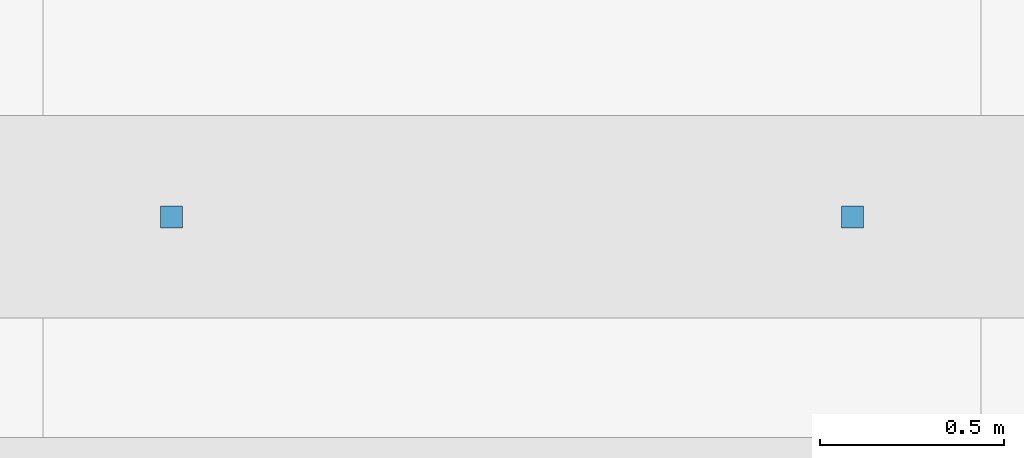
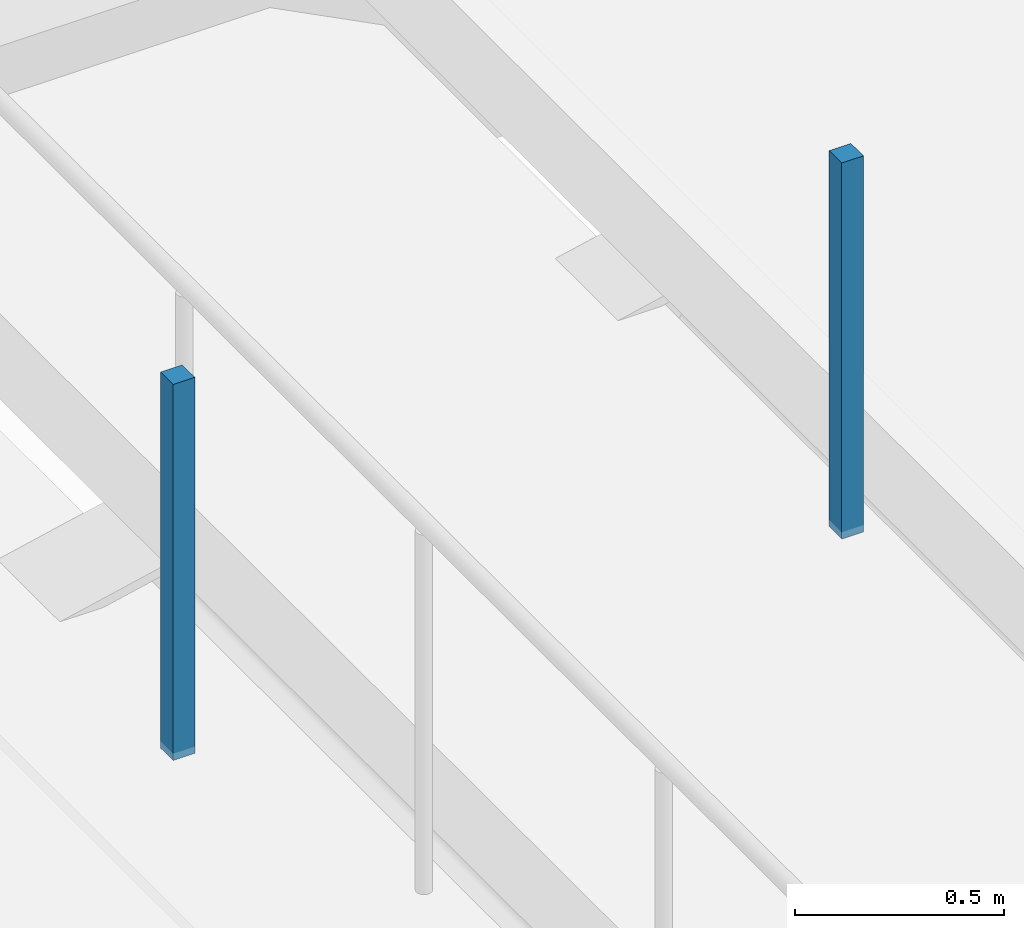
# One storey, part 99 of 147: 2 discrete accessories.
"""IFC4 building model written with IfcOpenShell, lengths in metres."""

from ifc_helpers import new_model, si_unit, direction, frame, origin, origin_2d, place, context, subcontext, project, spatial, rectangle, extrude, material, type_object, element, save


model = new_model("IFC4")

# Units and contexts
model_context = context("Model", 3, precision=1e-05, world=origin(), true_north=direction((0.0, 1.0)))
body_context = subcontext(model_context, "Body", "Model", "MODEL_VIEW")
ifc_project = project(units=[si_unit("LENGTHUNIT", "METRE"), si_unit("AREAUNIT", "SQUARE_METRE"), si_unit("VOLUMEUNIT", "CUBIC_METRE"), si_unit("PLANEANGLEUNIT", "RADIAN"), si_unit("MASSUNIT", "GRAM", prefix="KILO")], contexts=[model_context])

# Site, building, storey
site_placement = place(None, origin())
site = spatial("IfcSite", under=ifc_project, at=site_placement, CompositionType="ELEMENT")
building_placement = place(site_placement, origin())
building = spatial("IfcBuilding", under=site, at=building_placement, Name="Khelvaren Railside Concert Hall", CompositionType="ELEMENT")
storey_placement = place(building_placement, frame((0.0, 0.0, 5.39990234375)))
storey = spatial("IfcBuildingStorey", under=building, at=storey_placement, Name="L01", CompositionType="ELEMENT", Elevation=5.39990234375)

# Discrete accessories
ifc_material = material(Name="Galvanised steel acoustic ceiling hanger rod", Category="steel")
discrete_accessory_type = type_object("IfcDiscreteAccessoryType", Name="BRK62", PredefinedType="BRACKET", material=ifc_material)
for number, where, z_axis, x_axis, name in (
    (1, (9.25, 22.800048828125, 3.429931640625), (0.0, 0.0, 1.0), (1.0, 0.0, 0.0), "Acoustic Ceiling Suspension Bracket 12-1"),
    (2, (11.10009765625, 22.800048828125, 3.429931640625), (0.0, 0.0, 1.0), (1.0, 0.0, 0.0), "Acoustic Ceiling Suspension Bracket 12-2"),
):
    element("IfcDiscreteAccessory", number, at=place(storey_placement, frame(where, z_axis=z_axis, x_axis=x_axis)), inside=storey, type_object=discrete_accessory_type, Name=name, PredefinedType="BRACKET", context=body_context, shape_type="SweptSolid", body=[
        extrude(rectangle(XDim=0.06005859375, YDim=0.06005859375, at=origin_2d()), origin(), (0.0, 0.0, 1.0), 1.10009765625),
    ])

save(model, "model.ifc")
